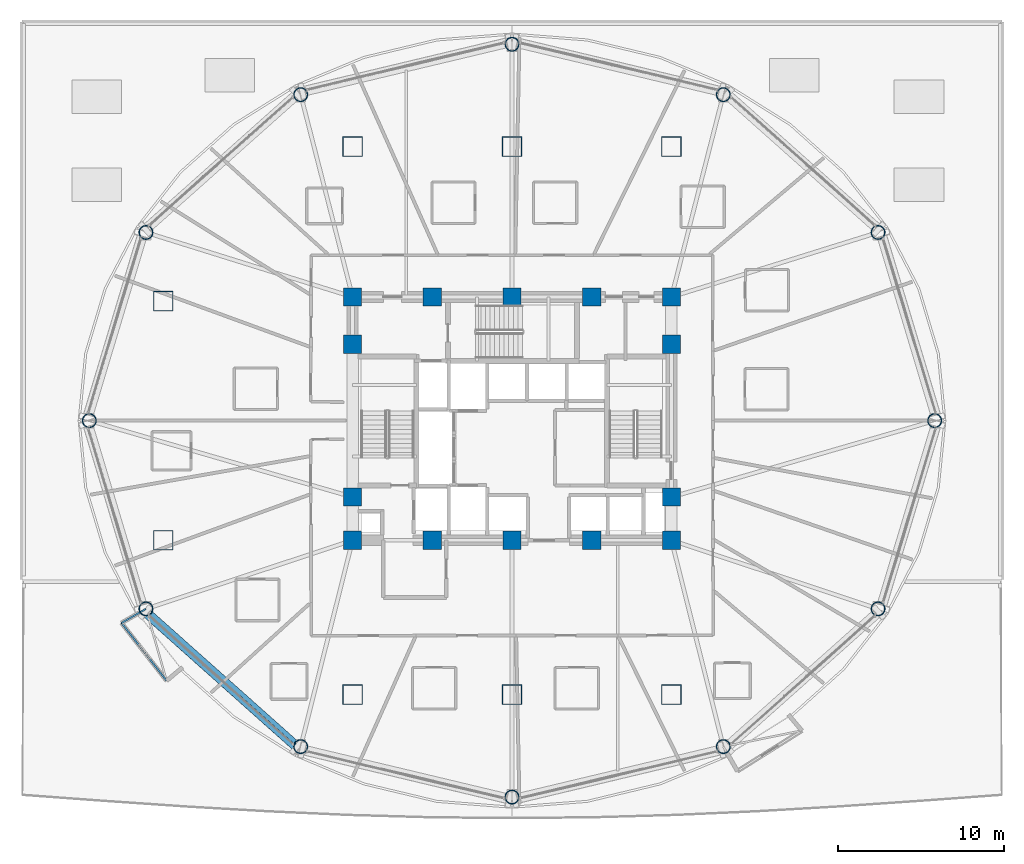
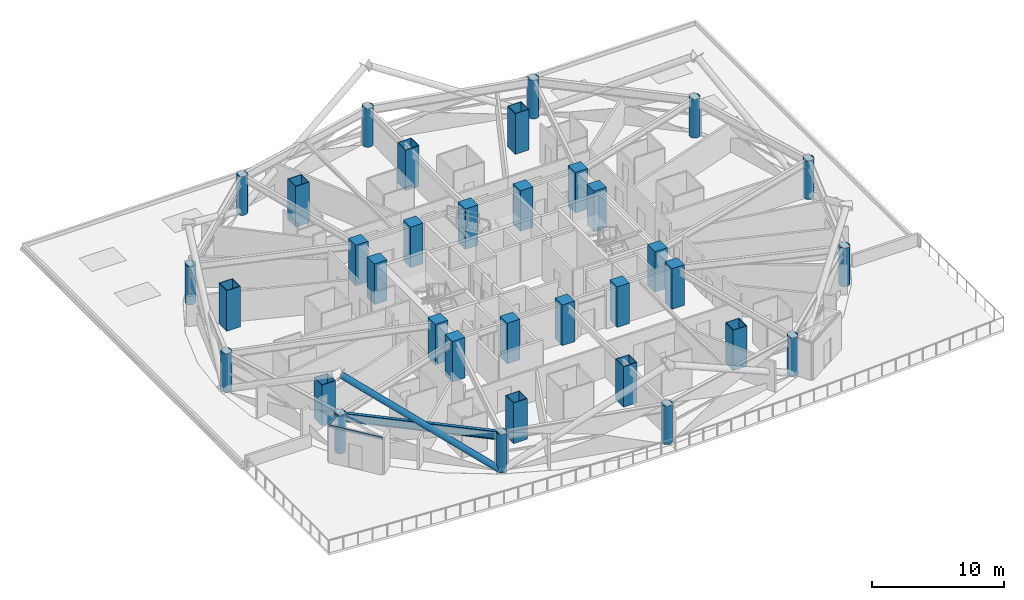
# One storey, part 1 of 27: 34 columns, 3 members, 1 beam.
"""IFC4 building model written with IfcOpenShell, lengths in metres."""

import ifcopenshell
import ifcopenshell.guid

model = None  # the IFC model being written
_history = None  # IfcOwnerHistory: only IFC2X3 demands one
_inside = {}  # id of a spatial element -> (the spatial element, [elements in it])
_under = {}  # id of a project, library or spatial element -> (it, [spatial elements below it])
_declared = {}  # id of a project -> (the project, [libraries it declares])
_typed = {}  # id of a type object -> (the type object, [elements of that type])
_made_of = {}  # id of a material, layer set ... -> (it, [elements and type objects made of it])


def new_model(schema):
    """Start an empty IFC model of exactly this schema.

    Asked for "IFC4X3", IfcOpenShell would pick the latest addendum, in which some entities
    have other attributes; the version numbers below select the first issue.
    IFC2X3 requires an IfcOwnerHistory on every rooted entity: one is made here for all.
    """
    global model, _history
    if schema == "IFC4X3":
        model = ifcopenshell.file(schema_version=(4, 3, 0, 0))
    else:
        model = ifcopenshell.file(schema=schema)
    _inside.clear()
    _under.clear()
    _declared.clear()
    _typed.clear()
    _made_of.clear()
    _history = None
    if model.schema == "IFC2X3":
        org = make("IfcOrganization", Name="unknown")
        user = make(
            "IfcPersonAndOrganization",
            ThePerson=make("IfcPerson", FamilyName="unknown"),
            TheOrganization=org,
        )
        app = make(
            "IfcApplication",
            ApplicationDeveloper=org,
            Version="unknown",
            ApplicationFullName="unknown",
            ApplicationIdentifier="unknown",
        )
        _history = make(
            "IfcOwnerHistory",
            OwningUser=user,
            OwningApplication=app,
            ChangeAction="ADDED",
            CreationDate=0,
        )
    return model


def make(cls, **values):
    """One entity of the class cls with the attributes given. An attribute that is None is left unset."""
    return model.create_entity(
        cls, **{name: value for name, value in values.items() if value is not None}
    )


def rooted(cls, **values):
    """An entity with a GlobalId (a new one), such as an element, a storey or a relation."""
    return make(cls, GlobalId=ifcopenshell.guid.new(), OwnerHistory=_history, **values)


def si_unit(unit_type, name, prefix=None):
    """IfcSIUnit, for example si_unit("LENGTHUNIT", "METRE", prefix="MILLI")."""
    return make("IfcSIUnit", UnitType=unit_type, Prefix=prefix, Name=name)


def assignment(units):
    """IfcUnitAssignment: the units of a project."""
    return None if units is None else make("IfcUnitAssignment", Units=units)


def point(xyz):
    """IfcCartesianPoint."""
    return None if xyz is None else make("IfcCartesianPoint", Coordinates=xyz)


def direction(xyz):
    """IfcDirection."""
    return None if xyz is None else make("IfcDirection", DirectionRatios=xyz)


def frame(location, z_axis=None, x_axis=None):
    """IfcAxis2Placement3D, a coordinate frame: its origin and axes. An axis left out is left unset."""
    return make(
        "IfcAxis2Placement3D",
        Location=point(location),
        Axis=direction(z_axis),
        RefDirection=direction(x_axis),
    )


def frame_2d(location, x_axis=None):
    """IfcAxis2Placement2D, a coordinate frame in the plane: its origin and x axis."""
    return make(
        "IfcAxis2Placement2D", Location=point(location), RefDirection=direction(x_axis)
    )


def origin():
    """The frame at (0, 0, 0) with its axes left unset."""
    return frame((0.0, 0.0, 0.0))


def origin_2d():
    """The frame at (0, 0) in the plane with its x axis left unset."""
    return frame_2d((0.0, 0.0))


def place(relative_to, where):
    """IfcLocalPlacement: puts the frame where relative to a parent placement (None: the world)."""
    return make(
        "IfcLocalPlacement", PlacementRelTo=relative_to, RelativePlacement=where
    )


def context(
    kind, dimensions, precision=None, world=None, true_north=None, identifier=None
):
    """IfcGeometricRepresentationContext, for example the 3D "Model" context."""
    return make(
        "IfcGeometricRepresentationContext",
        ContextIdentifier=identifier,
        ContextType=kind,
        CoordinateSpaceDimension=dimensions,
        Precision=precision,
        WorldCoordinateSystem=world,
        TrueNorth=true_north,
    )


def subcontext(parent, identifier, kind, view, scale=None):
    """IfcGeometricRepresentationSubContext, for example "Body" below "Model"."""
    return make(
        "IfcGeometricRepresentationSubContext",
        ContextIdentifier=identifier,
        ContextType=kind,
        ParentContext=parent,
        TargetScale=scale,
        TargetView=view,
    )


def project(units=None, contexts=None):
    """IfcProject with its units and contexts."""
    return rooted(
        "IfcProject",
        Name="project",
        RepresentationContexts=contexts,
        UnitsInContext=assignment(units),
    )


def spatial(cls, under=None, at=None, **own):
    """A site, building, storey or space (cls), placed at a placement, below another one or the project."""
    s = rooted(cls, ObjectPlacement=at, **own)
    if under is not None:
        _under.setdefault(under.id(), (under, []))[1].append(s)
    return s


def profile(cls, at=None, kind="AREA", **sizes):
    """A parametric profile (cls). Its sizes go by their IFC names, for example OverallWidth=200.0."""
    return make(cls, ProfileType=kind, Position=at, **sizes)


def rectangle(**sizes):
    """IfcRectangleProfileDef."""
    return profile("IfcRectangleProfileDef", **sizes)


def hollow_rectangle(**sizes):
    """IfcRectangleHollowProfileDef."""
    return profile("IfcRectangleHollowProfileDef", **sizes)


def hollow_circle(**sizes):
    """IfcCircleHollowProfileDef."""
    return profile("IfcCircleHollowProfileDef", **sizes)


def i_section(**sizes):
    """IfcIShapeProfileDef."""
    return profile("IfcIShapeProfileDef", **sizes)


def extrude(swept, where, along, depth):
    """IfcExtrudedAreaSolid: the profile swept, set in the frame where, extruded along a direction by depth."""
    return make(
        "IfcExtrudedAreaSolid",
        SweptArea=swept,
        Position=where,
        ExtrudedDirection=direction(along),
        Depth=depth,
    )


def shape(context_of_items, identifier, shape_type, items):
    """IfcShapeRepresentation: the items that make up one representation, for example the "Body"."""
    return make(
        "IfcShapeRepresentation",
        ContextOfItems=context_of_items,
        RepresentationIdentifier=identifier,
        RepresentationType=shape_type,
        Items=items,
    )


def material(Name=None, Category=None):
    """IfcMaterial."""
    return make("IfcMaterial", Name=Name, Category=Category)


def material_profile(
    of_material, cross_section, Name=None, Category=None, Priority=None
):
    """IfcMaterialProfile: a cross section and its material."""
    return make(
        "IfcMaterialProfile",
        Name=Name,
        Material=of_material,
        Profile=cross_section,
        Priority=Priority,
        Category=Category,
    )


def profile_set(profiles, Name=None, composite=None):
    """IfcMaterialProfileSet."""
    return make(
        "IfcMaterialProfileSet",
        Name=Name,
        MaterialProfiles=profiles,
        CompositeProfile=composite,
    )


def made_of(thing, what):
    """Note that an element or type object is made of a material, layer set ...; save() writes the relation."""
    if what is not None:
        _made_of.setdefault(what.id(), (what, []))[1].append(thing)
    return thing


def type_object(cls, material=None, **own):
    """A type object (cls), such as IfcWallType, which elements share."""
    return made_of(rooted(cls, **own), material)


def element(
    cls,
    number,
    at=None,
    inside=None,
    cuts=None,
    type_object=None,
    material=None,
    context=None,
    identifier="Body",
    shape_type=None,
    held_by="IfcProductDefinitionShape",
    body=None,
    shapes=None,
    **own,
):
    """One element of the class cls, such as IfcWall. Its Tag is "e" and its number.

    at: its placement. inside: the storey or other place that contains it. cuts: it is an
    opening in that element (IfcRelVoidsElement). A single representation is given by context,
    identifier, shape_type and body (its items); several are given by shapes. held_by: the class
    of the entity that holds the representations. save() writes the other relations.
    """
    e = rooted(cls, Tag="e%d" % number, ObjectPlacement=at, **own)
    if body is not None:
        shapes = [shape(context, identifier, shape_type, body)]
    if shapes is not None:
        e.Representation = make(held_by, Representations=shapes)
    if inside is not None:
        _inside.setdefault(inside.id(), (inside, []))[1].append(e)
    if cuts is not None:
        rooted(
            "IfcRelVoidsElement", RelatingBuildingElement=cuts, RelatedOpeningElement=e
        )
    if type_object is not None:
        _typed.setdefault(type_object.id(), (type_object, []))[1].append(e)
    return made_of(e, material)


def aggregate(whole, parts):
    """IfcRelAggregates: a whole, such as a stair, and the parts it consists of."""
    return rooted("IfcRelAggregates", RelatingObject=whole, RelatedObjects=parts)


def save(model, path):
    """Write the relations noted so far, then the file.

    IfcRelAggregates (storeys below a building ...), IfcRelContainedInSpatialStructure (elements
    in a storey), IfcRelDefinesByType, IfcRelAssociatesMaterial and IfcRelDeclares: one each for
    every whole, place, type object, material and project.
    """
    for whole, parts in _under.values():
        aggregate(whole, parts)
    for where, things in _inside.values():
        rooted(
            "IfcRelContainedInSpatialStructure",
            RelatedElements=things,
            RelatingStructure=where,
        )
    for kind, things in _typed.values():
        rooted("IfcRelDefinesByType", RelatedObjects=things, RelatingType=kind)
    for what, things in _made_of.values():
        rooted("IfcRelAssociatesMaterial", RelatedObjects=things, RelatingMaterial=what)
    for by, libraries in _declared.values():
        rooted("IfcRelDeclares", RelatingContext=by, RelatedDefinitions=libraries)
    model.write(path)


model = new_model("IFC4")

# Units and contexts
model_context = context("Model", 3, precision=1e-05, world=origin(), true_north=direction((0.0, 1.0)))
body_context = subcontext(model_context, "Body", "Model", "MODEL_VIEW")
ifc_project = project(units=[si_unit("LENGTHUNIT", "METRE"), si_unit("AREAUNIT", "SQUARE_METRE"), si_unit("VOLUMEUNIT", "CUBIC_METRE"), si_unit("PLANEANGLEUNIT", "RADIAN"), si_unit("MASSUNIT", "GRAM", prefix="KILO")], contexts=[model_context])

# Site, building, storey
site_placement = place(None, origin())
site = spatial("IfcSite", under=ifc_project, at=site_placement, CompositionType="ELEMENT")
building_placement = place(site_placement, origin())
building = spatial("IfcBuilding", under=site, at=building_placement, Name="Vantalir Tower", CompositionType="ELEMENT")
storey_placement = place(building_placement, frame((0.0, 0.0, 27.0)))
storey = spatial("IfcBuildingStorey", under=building, at=storey_placement, Name="L05", CompositionType="ELEMENT", Elevation=27.0)

# Columns
ifc_material_1 = material(Name="Concrete C60/75", Category="concrete")
ifc_material_profile_1 = material_profile(ifc_material_1, rectangle(XDim=1.10009765625, YDim=1.10009765625, at=origin_2d()), Name="Concrete C60/75")
ifc_profile_set_1 = profile_set([ifc_material_profile_1], Name="Concrete C60/75")
column_type_1 = type_object("IfcColumnType", Name="COL-CC-1100", PredefinedType="COLUMN", material=ifc_profile_set_1)
for number, where, z_axis, x_axis, name in (
    (1, (21.89990234375, 17.800048828125, 0.0), (0.0, 0.0, 1.0), (1.0, 0.0, 0.0), "L05 Core Column CC01"),
    (2, (26.699951171875, 17.800048828125, 0.0), (0.0, 0.0, 1.0), (1.0, 0.0, 0.0), "L05 Core Column CC02"),
    (3, (31.5, 17.800048828125, 0.0), (0.0, 0.0, 1.0), (1.0, 0.0, 0.0), "L05 Core Column CC03"),
    (4, (36.300048828125, 17.800048828125, 0.0), (0.0, 0.0, 1.0), (1.0, 0.0, 0.0), "L05 Core Column CC04"),
    (5, (41.10009765625, 17.800048828125, 0.0), (0.0, 0.0, 1.0), (1.0, 0.0, 0.0), "L05 Core Column CC05"),
    (6, (21.89990234375, 20.39990234375, 0.0), (0.0, 0.0, 1.0), (1.0, 0.0, 0.0), "L05 Core Column CC06"),
    (7, (21.89990234375, 29.60009765625, 0.0), (0.0, 0.0, 1.0), (1.0, 0.0, 0.0), "L05 Core Column CC07"),
    (8, (41.10009765625, 20.39990234375, 0.0), (0.0, 0.0, 1.0), (1.0, 0.0, 0.0), "L05 Core Column CC08"),
    (9, (41.10009765625, 29.60009765625, 0.0), (0.0, 0.0, 1.0), (1.0, 0.0, 0.0), "L05 Core Column CC09"),
    (10, (21.89990234375, 32.449951171875, 0.0), (0.0, 0.0, 1.0), (1.0, 0.0, 0.0), "L05 Core Column CC10"),
    (11, (26.699951171875, 32.449951171875, 0.0), (0.0, 0.0, 1.0), (1.0, 0.0, 0.0), "L05 Core Column CC11"),
    (12, (31.5, 32.449951171875, 0.0), (0.0, 0.0, 1.0), (1.0, 0.0, 0.0), "L05 Core Column CC12"),
    (13, (36.300048828125, 32.449951171875, 0.0), (0.0, 0.0, 1.0), (1.0, 0.0, 0.0), "L05 Core Column CC13"),
    (14, (41.10009765625, 32.449951171875, 0.0), (0.0, 0.0, 1.0), (1.0, 0.0, 0.0), "L05 Core Column CC14"),
):
    element("IfcColumn", number, at=place(storey_placement, frame(where, z_axis=z_axis, x_axis=x_axis)), inside=storey, type_object=column_type_1, Name=name, PredefinedType="COLUMN", context=body_context, shape_type="SweptSolid", body=[
        extrude(rectangle(XDim=1.10009765625, YDim=1.10009765625, at=origin_2d()), origin(), (0.0, 0.0, 1.0), 3.75),
    ])
ifc_material_2 = material(Name="Steel S460", Category="steel")
ifc_material_profile_2 = material_profile(ifc_material_2, hollow_rectangle(XDim=1.199951171875, YDim=1.199951171875, WallThickness=0.044921875, at=origin_2d()), Name="Steel S460")
ifc_profile_set_2 = profile_set([ifc_material_profile_2], Name="Steel S460")
column_type_2 = type_object("IfcColumnType", Name="COL-MC-1200", PredefinedType="COLUMN", material=ifc_profile_set_2)
for number, where, z_axis, x_axis, name in (
    (15, (21.89990234375, 8.5, 0.0), (0.0, 0.0, 1.0), (1.0, 0.0, 0.0), "L05 S460 Mega-Column MC01"),
    (16, (31.5, 8.5, 0.0), (0.0, 0.0, 1.0), (1.0, 0.0, 0.0), "L05 S460 Mega-Column MC02"),
    (17, (41.10009765625, 8.5, 0.0), (0.0, 0.0, 1.0), (1.0, 0.0, 0.0), "L05 S460 Mega-Column MC03"),
    (18, (10.5, 17.800048828125, 0.0), (0.0, 0.0, 1.0), (1.0, 0.0, 0.0), "L05 S460 Mega-Column MC04"),
    (19, (10.5, 32.199951171875, 0.0), (0.0, 0.0, 1.0), (1.0, 0.0, 0.0), "L05 S460 Mega-Column MC05"),
    (20, (21.89990234375, 41.5, 0.0), (0.0, 0.0, 1.0), (1.0, 0.0, 0.0), "L05 S460 Mega-Column MC06"),
    (21, (31.5, 41.5, 0.0), (0.0, 0.0, 1.0), (1.0, 0.0, 0.0), "L05 S460 Mega-Column MC07"),
    (22, (41.10009765625, 41.5, 0.0), (0.0, 0.0, 1.0), (1.0, 0.0, 0.0), "L05 S460 Mega-Column MC08"),
):
    element("IfcColumn", number, at=place(storey_placement, frame(where, z_axis=z_axis, x_axis=x_axis)), inside=storey, type_object=column_type_2, Name=name, PredefinedType="COLUMN", context=body_context, shape_type="SweptSolid", body=[
        extrude(hollow_rectangle(XDim=1.199951171875, YDim=1.199951171875, WallThickness=0.044921875, at=origin_2d()), origin(), (0.0, 0.0, 1.0), 3.75),
    ])
ifc_material_profile_3 = material_profile(ifc_material_2, hollow_circle(Radius=0.425048828125, WallThickness=0.0400390625, at=origin_2d()), Name="Steel S460")
ifc_profile_set_3 = profile_set([ifc_material_profile_3], Name="Steel S460")
column_type_3 = type_object("IfcColumnType", Name="COL-RC-850", PredefinedType="COLUMN", material=ifc_profile_set_3)
for number, where, z_axis, x_axis, name in (
    (23, (56.949951171875, 25.0, 0.0), (0.0, 0.0, 1.0), (1.0, 0.0, 0.0), "L05 Perimeter Ring Column RC01"),
    (24, (53.5400390625, 36.33203125, 0.0), (0.0, 0.0, 1.0), (1.0, 0.0, 0.0), "L05 Perimeter Ring Column RC02"),
    (25, (44.22509765625, 44.6279296875, 0.0), (0.0, 0.0, 1.0), (1.0, 0.0, 0.0), "L05 Perimeter Ring Column RC03"),
    (26, (31.5, 47.6640625, 0.0), (0.0, 0.0, 1.0), (1.0, 0.0, 0.0), "L05 Perimeter Ring Column RC04"),
    (27, (18.77490234375, 44.6279296875, 0.0), (0.0, 0.0, 1.0), (1.0, 0.0, 0.0), "L05 Perimeter Ring Column RC05"),
    (28, (9.4599609375, 36.33203125, 0.0), (0.0, 0.0, 1.0), (1.0, 0.0, 0.0), "L05 Perimeter Ring Column RC06"),
    (29, (6.050048828125, 25.0, 0.0), (0.0, 0.0, 1.0), (1.0, 0.0, 0.0), "L05 Perimeter Ring Column RC07"),
    (30, (9.4599609375, 13.66796875, 0.0), (0.0, 0.0, 1.0), (1.0, 0.0, 0.0), "L05 Perimeter Ring Column RC08"),
    (31, (18.77490234375, 5.3720703125, 0.0), (0.0, 0.0, 1.0), (1.0, 0.0, 0.0), "L05 Perimeter Ring Column RC09"),
    (32, (31.5, 2.3359375, 0.0), (0.0, 0.0, 1.0), (1.0, 0.0, 0.0), "L05 Perimeter Ring Column RC10"),
    (33, (44.22509765625, 5.3720703125, 0.0), (0.0, 0.0, 1.0), (1.0, 0.0, 0.0), "L05 Perimeter Ring Column RC11"),
    (34, (53.5400390625, 13.66796875, 0.0), (0.0, 0.0, 1.0), (1.0, 0.0, 0.0), "L05 Perimeter Ring Column RC12"),
):
    element("IfcColumn", number, at=place(storey_placement, frame(where, z_axis=z_axis, x_axis=x_axis)), inside=storey, type_object=column_type_3, Name=name, PredefinedType="COLUMN", context=body_context, shape_type="SweptSolid", body=[
        extrude(hollow_circle(Radius=0.425048828125, WallThickness=0.0400390625, at=origin_2d()), origin(), (0.0, 0.0, 1.0), 3.570068359375),
    ])

# Beam
ifc_material_profile_4 = material_profile(ifc_material_2, i_section(OverallWidth=0.26806640625, OverallDepth=0.77001953125, WebThickness=0.015625, FlangeThickness=0.025390625, at=origin_2d()), Name="Steel S460")
ifc_profile_set_4 = profile_set([ifc_material_profile_4], Name="Steel S460")
beam_type = type_object("IfcBeamType", Name="BM-RG-762x267", PredefinedType="USERDEFINED", material=ifc_profile_set_4)
beam_placement = place(storey_placement, frame((9.4599609375, 13.66796875, 3.18505859375), z_axis=(0.746774014303, -0.665077868795, 0.0), x_axis=(0.665077868795, 0.746774014303, 0.0)))
element("IfcBeam", 35, at=beam_placement, inside=storey, type_object=beam_type, Name="L05 Circumferential Ring Girder 08", ObjectType="GIRDER", PredefinedType="USERDEFINED", context=body_context, shape_type="SweptSolid", body=[
    extrude(i_section(OverallWidth=0.26806640625, OverallDepth=0.77001953125, WebThickness=0.015625, FlangeThickness=0.025390625, at=origin_2d()), origin(), (0.0, 0.0, 1.0), 12.4736328125),
])

# Members
ifc_material_profile_5 = material_profile(ifc_material_2, hollow_circle(Radius=0.27001953125, WallThickness=0.044921875, at=origin_2d()), Name="Steel S460")
ifc_profile_set_5 = profile_set([ifc_material_profile_5], Name="Steel S460")
member_type_1 = type_object("IfcMemberType", Name="MEM-DB-540x45", PredefinedType="BRACE", material=ifc_profile_set_5)
member_1_placement = place(storey_placement, frame((18.537109375, 5.3349609375, 0.18896484375), z_axis=(-0.648652807467, 0.578218197544, 0.494887109748), x_axis=(-0.665416140811, -0.746472611385, 0.0)))
element("IfcMember", 36, at=member_1_placement, inside=storey, type_object=member_type_1, Name="L05 Perimeter S460 Diagrid Brace R25R", PredefinedType="BRACE", context=body_context, shape_type="SweptSolid", body=[
    extrude(hollow_circle(Radius=0.27001953125, WallThickness=0.044921875, at=origin_2d()), origin(), (0.0, 0.0, 1.0), 14.02783203125),
])
ifc_material_3 = material(Name="Steel S355", Category="steel")
ifc_material_profile_6 = material_profile(ifc_material_3, hollow_rectangle(XDim=0.10009765625, YDim=0.199951171875, WallThickness=0.008056640625, at=origin_2d()), Name="Steel S355")
ifc_profile_set_6 = profile_set([ifc_material_profile_6], Name="Steel S355")
member_type_2 = type_object("IfcMemberType", Name="MEM-PR-200x100", PredefinedType="PURLIN", material=ifc_profile_set_6)
member_2_placement = place(storey_placement, frame((9.4599609375, 13.66796875, 3.320068359375), z_axis=(-0.866159292851, -0.499768025595, 0.0), x_axis=(0.499768025595, -0.866159292851, 0.0)))
element("IfcMember", 37, at=member_2_placement, inside=storey, type_object=member_type_2, Name="L05 Vestibule Canopy Cantilever Purlin SW1", PredefinedType="PURLIN", context=body_context, shape_type="SweptSolid", body=[
    extrude(hollow_rectangle(XDim=0.10009765625, YDim=0.199951171875, WallThickness=0.008056640625, at=origin_2d()), origin(), (0.0, 0.0, 1.0), 1.700439453125),
])
member_3_placement = place(storey_placement, frame((7.987060546875, 12.818115234375, 3.320068359375), z_axis=(0.615203768893, -0.788368139095, 0.0), x_axis=(0.788368139095, 0.615203768893, 0.0)))
element("IfcMember", 38, at=member_3_placement, inside=storey, type_object=member_type_2, Name="L05 Vestibule Canopy Header Purlin SW3", PredefinedType="PURLIN", context=body_context, shape_type="SweptSolid", body=[
    extrude(hollow_rectangle(XDim=0.10009765625, YDim=0.199951171875, WallThickness=0.008056640625, at=origin_2d()), origin(), (0.0, 0.0, 1.0), 4.412841796875),
])

save(model, "model.ifc")
